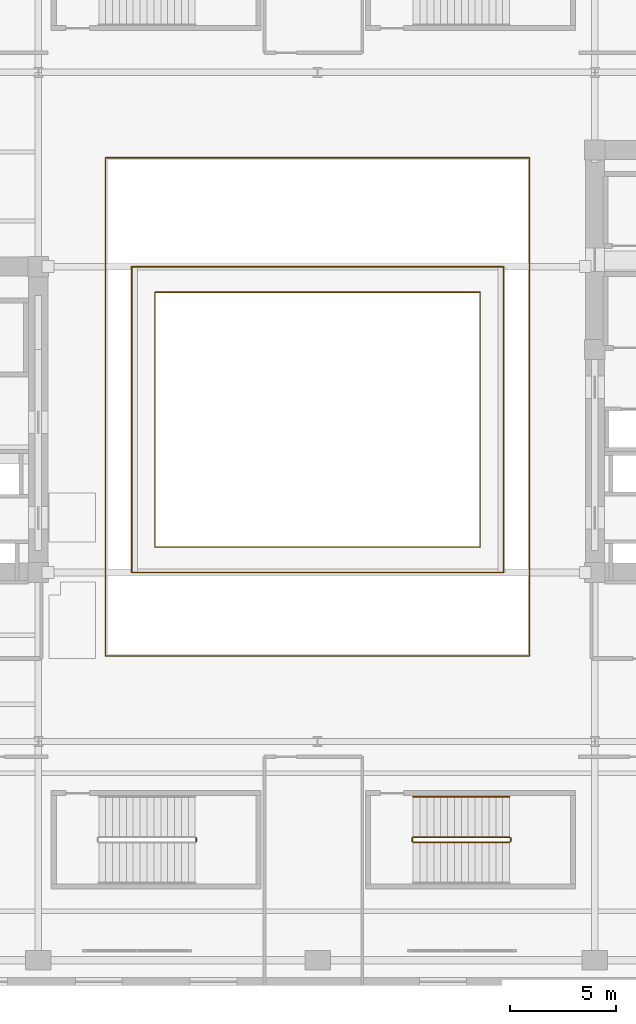
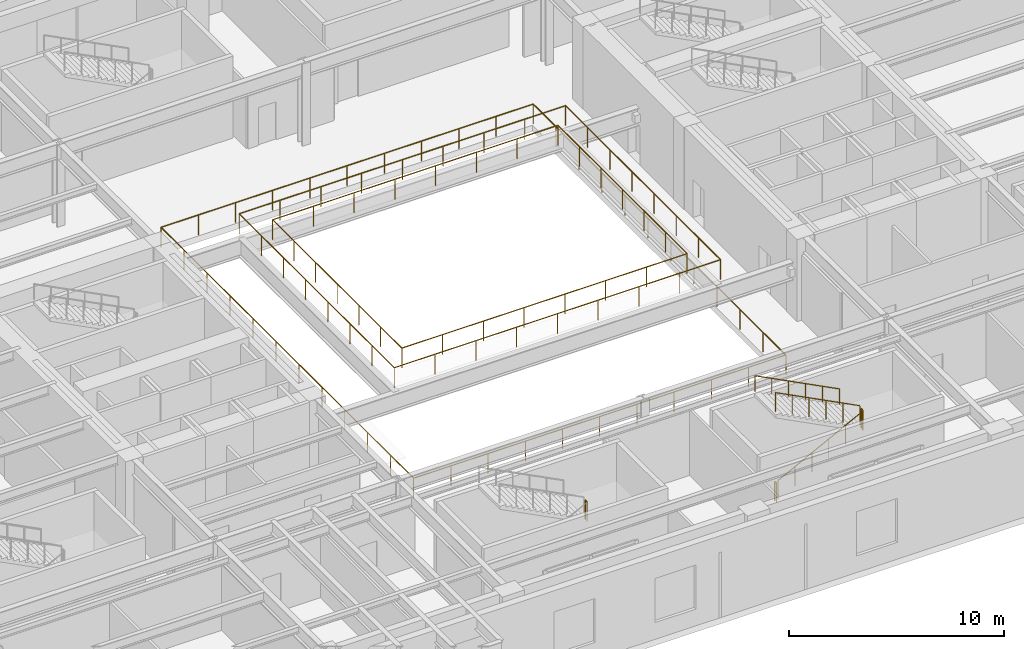
# One storey, part 17 of 24: 12 railings.
"""IFC4 building model written with IfcOpenShell, lengths in metres."""

from ifc_helpers import new_model, si_unit, direction, frame, origin, origin_2d, place, context, subcontext, project, spatial, circle, extrude, material, type_object, element, save


model = new_model("IFC4")

# Units and contexts
model_context = context("Model", 3, precision=1e-05, world=origin(), true_north=direction((0.0, 1.0)))
body_context = subcontext(model_context, "Body", "Model", "MODEL_VIEW")
ifc_project = project(units=[si_unit("LENGTHUNIT", "METRE"), si_unit("AREAUNIT", "SQUARE_METRE"), si_unit("VOLUMEUNIT", "CUBIC_METRE"), si_unit("PLANEANGLEUNIT", "RADIAN"), si_unit("MASSUNIT", "GRAM", prefix="KILO")], contexts=[model_context])

# Site, building, storey
site_placement = place(None, origin())
site = spatial("IfcSite", under=ifc_project, at=site_placement, CompositionType="ELEMENT")
building_placement = place(site_placement, origin())
building = spatial("IfcBuilding", under=site, at=building_placement, Name="Kolvaren Arena Tower", CompositionType="ELEMENT")
storey_placement = place(building_placement, frame((0.0, 0.0, 23.0)))
storey = spatial("IfcBuildingStorey", under=building, at=storey_placement, Name="L04", CompositionType="ELEMENT", Elevation=23.0)

# Railings
ifc_material_1 = material(Name="Heavy-duty crowd steel guardrail", Category="steel")
railing_type_1 = type_object("IfcRailingType", Name="GUARD-ARN-110", PredefinedType="GUARDRAIL", material=ifc_material_1)
railing_1_placement = place(storey_placement, frame((27.52001953125, 15.52001953125, 0.0)))
element("IfcRailing", 1, at=railing_1_placement, inside=storey, type_object=railing_type_1, Name="Arena Concourse Well Perimeter Guard (L04)", PredefinedType="GUARDRAIL", context=body_context, shape_type="SweptSolid", body=[
    extrude(circle(Radius=0.02734375, at=origin_2d()), frame((0.0, 0.0, 1.12255859375), z_axis=(1.0, 0.0, 0.0), x_axis=(0.0, 1.0, 0.0)), (0.0, 0.0, 1.0), 19.9599609375),
    extrude(circle(Radius=0.02734375, at=origin_2d()), frame((19.9599609375, 0.0, 1.12255859375), z_axis=(0.0, 1.0, 0.0), x_axis=(-1.0, 0.0, 0.0)), (0.0, 0.0, 1.0), 23.4599609375),
    extrude(circle(Radius=0.0224609375, at=origin_2d()), origin(), (0.0, 0.0, 1.0), 1.094970703125),
    extrude(circle(Radius=0.0224609375, at=origin_2d()), frame((1.99609375, 0.0, 0.0)), (0.0, 0.0, 1.0), 1.094970703125),
    extrude(circle(Radius=0.0224609375, at=origin_2d()), frame((3.991943359375, 0.0, 0.0)), (0.0, 0.0, 1.0), 1.094970703125),
    extrude(circle(Radius=0.0224609375, at=origin_2d()), frame((5.988037109375, 0.0, 0.0)), (0.0, 0.0, 1.0), 1.094970703125),
    extrude(circle(Radius=0.0224609375, at=origin_2d()), frame((7.98388671875, 0.0, 0.0)), (0.0, 0.0, 1.0), 1.094970703125),
    extrude(circle(Radius=0.0224609375, at=origin_2d()), frame((9.97998046875, 0.0, 0.0)), (0.0, 0.0, 1.0), 1.094970703125),
    extrude(circle(Radius=0.0224609375, at=origin_2d()), frame((11.97607421875, 0.0, 0.0)), (0.0, 0.0, 1.0), 1.094970703125),
    extrude(circle(Radius=0.0224609375, at=origin_2d()), frame((13.971923828125, 0.0, 0.0)), (0.0, 0.0, 1.0), 1.094970703125),
    extrude(circle(Radius=0.0224609375, at=origin_2d()), frame((15.968017578125, 0.0, 0.0)), (0.0, 0.0, 1.0), 1.094970703125),
    extrude(circle(Radius=0.0224609375, at=origin_2d()), frame((17.9638671875, 0.0, 0.0)), (0.0, 0.0, 1.0), 1.094970703125),
    extrude(circle(Radius=0.0224609375, at=origin_2d()), frame((19.9599609375, 0.0, 0.0)), (0.0, 0.0, 1.0), 1.094970703125),
    extrude(circle(Radius=0.0224609375, at=origin_2d()), frame((19.9599609375, 2.1328125, 0.0)), (0.0, 0.0, 1.0), 1.094970703125),
    extrude(circle(Radius=0.0224609375, at=origin_2d()), frame((19.9599609375, 4.265380859375, 0.0)), (0.0, 0.0, 1.0), 1.094970703125),
    extrude(circle(Radius=0.0224609375, at=origin_2d()), frame((19.9599609375, 6.398193359375, 0.0)), (0.0, 0.0, 1.0), 1.094970703125),
    extrude(circle(Radius=0.0224609375, at=origin_2d()), frame((19.9599609375, 8.531005859375, 0.0)), (0.0, 0.0, 1.0), 1.094970703125),
    extrude(circle(Radius=0.0224609375, at=origin_2d()), frame((19.9599609375, 10.66357421875, 0.0)), (0.0, 0.0, 1.0), 1.094970703125),
    extrude(circle(Radius=0.0224609375, at=origin_2d()), frame((19.9599609375, 12.79638671875, 0.0)), (0.0, 0.0, 1.0), 1.094970703125),
    extrude(circle(Radius=0.0224609375, at=origin_2d()), frame((19.9599609375, 14.928955078125, 0.0)), (0.0, 0.0, 1.0), 1.094970703125),
    extrude(circle(Radius=0.0224609375, at=origin_2d()), frame((19.9599609375, 17.061767578125, 0.0)), (0.0, 0.0, 1.0), 1.094970703125),
    extrude(circle(Radius=0.0224609375, at=origin_2d()), frame((19.9599609375, 19.194580078125, 0.0)), (0.0, 0.0, 1.0), 1.094970703125),
    extrude(circle(Radius=0.0224609375, at=origin_2d()), frame((19.9599609375, 21.3271484375, 0.0)), (0.0, 0.0, 1.0), 1.094970703125),
    extrude(circle(Radius=0.0224609375, at=origin_2d()), frame((19.9599609375, 23.4599609375, 0.0)), (0.0, 0.0, 1.0), 1.094970703125),
])
railing_2_placement = place(storey_placement, frame((47.47998046875, 38.97998046875, 0.0)))
element("IfcRailing", 2, at=railing_2_placement, inside=storey, type_object=railing_type_1, Name="Arena Concourse Well Perimeter Guard (L04)", PredefinedType="GUARDRAIL", context=body_context, shape_type="SweptSolid", body=[
    extrude(circle(Radius=0.02734375, at=origin_2d()), frame((0.0, 0.0, 1.12255859375), z_axis=(-1.0, 0.0, 0.0), x_axis=(0.0, -1.0, 0.0)), (0.0, 0.0, 1.0), 19.9599609375),
    extrude(circle(Radius=0.02734375, at=origin_2d()), frame((-19.9599609375, 0.0, 1.12255859375), z_axis=(0.0, -1.0, 0.0), x_axis=(1.0, 0.0, 0.0)), (0.0, 0.0, 1.0), 23.4599609375),
    extrude(circle(Radius=0.0224609375, at=origin_2d()), origin(), (0.0, 0.0, 1.0), 1.094970703125),
    extrude(circle(Radius=0.0224609375, at=origin_2d()), frame((-1.99609375, 0.0, 0.0)), (0.0, 0.0, 1.0), 1.094970703125),
    extrude(circle(Radius=0.0224609375, at=origin_2d()), frame((-3.991943359375, 0.0, 0.0)), (0.0, 0.0, 1.0), 1.094970703125),
    extrude(circle(Radius=0.0224609375, at=origin_2d()), frame((-5.988037109375, 0.0, 0.0)), (0.0, 0.0, 1.0), 1.094970703125),
    extrude(circle(Radius=0.0224609375, at=origin_2d()), frame((-7.98388671875, 0.0, 0.0)), (0.0, 0.0, 1.0), 1.094970703125),
    extrude(circle(Radius=0.0224609375, at=origin_2d()), frame((-9.97998046875, 0.0, 0.0)), (0.0, 0.0, 1.0), 1.094970703125),
    extrude(circle(Radius=0.0224609375, at=origin_2d()), frame((-11.97607421875, 0.0, 0.0)), (0.0, 0.0, 1.0), 1.094970703125),
    extrude(circle(Radius=0.0224609375, at=origin_2d()), frame((-13.971923828125, 0.0, 0.0)), (0.0, 0.0, 1.0), 1.094970703125),
    extrude(circle(Radius=0.0224609375, at=origin_2d()), frame((-15.968017578125, 0.0, 0.0)), (0.0, 0.0, 1.0), 1.094970703125),
    extrude(circle(Radius=0.0224609375, at=origin_2d()), frame((-17.9638671875, 0.0, 0.0)), (0.0, 0.0, 1.0), 1.094970703125),
    extrude(circle(Radius=0.0224609375, at=origin_2d()), frame((-19.9599609375, 0.0, 0.0)), (0.0, 0.0, 1.0), 1.094970703125),
    extrude(circle(Radius=0.0224609375, at=origin_2d()), frame((-19.9599609375, -2.1328125, 0.0)), (0.0, 0.0, 1.0), 1.094970703125),
    extrude(circle(Radius=0.0224609375, at=origin_2d()), frame((-19.9599609375, -4.265380859375, 0.0)), (0.0, 0.0, 1.0), 1.094970703125),
    extrude(circle(Radius=0.0224609375, at=origin_2d()), frame((-19.9599609375, -6.398193359375, 0.0)), (0.0, 0.0, 1.0), 1.094970703125),
    extrude(circle(Radius=0.0224609375, at=origin_2d()), frame((-19.9599609375, -8.531005859375, 0.0)), (0.0, 0.0, 1.0), 1.094970703125),
    extrude(circle(Radius=0.0224609375, at=origin_2d()), frame((-19.9599609375, -10.66357421875, 0.0)), (0.0, 0.0, 1.0), 1.094970703125),
    extrude(circle(Radius=0.0224609375, at=origin_2d()), frame((-19.9599609375, -12.79638671875, 0.0)), (0.0, 0.0, 1.0), 1.094970703125),
    extrude(circle(Radius=0.0224609375, at=origin_2d()), frame((-19.9599609375, -14.928955078125, 0.0)), (0.0, 0.0, 1.0), 1.094970703125),
    extrude(circle(Radius=0.0224609375, at=origin_2d()), frame((-19.9599609375, -17.061767578125, 0.0)), (0.0, 0.0, 1.0), 1.094970703125),
    extrude(circle(Radius=0.0224609375, at=origin_2d()), frame((-19.9599609375, -19.194580078125, 0.0)), (0.0, 0.0, 1.0), 1.094970703125),
    extrude(circle(Radius=0.0224609375, at=origin_2d()), frame((-19.9599609375, -21.3271484375, 0.0)), (0.0, 0.0, 1.0), 1.094970703125),
    extrude(circle(Radius=0.0224609375, at=origin_2d()), frame((-19.9599609375, -23.4599609375, 0.0)), (0.0, 0.0, 1.0), 1.094970703125),
])
railing_3_placement = place(storey_placement, frame((29.85009765625, 20.64990234375, 3.449951171875)))
element("IfcRailing", 3, at=railing_3_placement, inside=storey, type_object=railing_type_1, Name="Arena Bowl In Guard (L04)", PredefinedType="GUARDRAIL", context=body_context, shape_type="SweptSolid", body=[
    extrude(circle(Radius=0.02734375, at=origin_2d()), frame((0.0, 0.0, 1.12255859375), z_axis=(1.0, 0.0, 0.0), x_axis=(0.0, 1.0, 0.0)), (0.0, 0.0, 1.0), 15.2998046875),
    extrude(circle(Radius=0.02734375, at=origin_2d()), frame((15.2998046875, 0.0, 1.12255859375), z_axis=(0.0, 1.0, 0.0), x_axis=(-1.0, 0.0, 0.0)), (0.0, 0.0, 1.0), 12.0),
    extrude(circle(Radius=0.0224609375, at=origin_2d()), origin(), (0.0, 0.0, 1.0), 1.094970703125),
    extrude(circle(Radius=0.0224609375, at=origin_2d()), frame((2.185791015625, 0.0, 0.0)), (0.0, 0.0, 1.0), 1.094970703125),
    extrude(circle(Radius=0.0224609375, at=origin_2d()), frame((4.371337890625, 0.0, 0.0)), (0.0, 0.0, 1.0), 1.094970703125),
    extrude(circle(Radius=0.0224609375, at=origin_2d()), frame((6.55712890625, 0.0, 0.0)), (0.0, 0.0, 1.0), 1.094970703125),
    extrude(circle(Radius=0.0224609375, at=origin_2d()), frame((8.74267578125, 0.0, 0.0)), (0.0, 0.0, 1.0), 1.094970703125),
    extrude(circle(Radius=0.0224609375, at=origin_2d()), frame((10.928466796875, 0.0, 0.0)), (0.0, 0.0, 1.0), 1.094970703125),
    extrude(circle(Radius=0.0224609375, at=origin_2d()), frame((13.114013671875, 0.0, 0.0)), (0.0, 0.0, 1.0), 1.094970703125),
    extrude(circle(Radius=0.0224609375, at=origin_2d()), frame((15.2998046875, 0.0, 0.0)), (0.0, 0.0, 1.0), 1.094970703125),
    extrude(circle(Radius=0.0224609375, at=origin_2d()), frame((15.2998046875, 2.0, 0.0)), (0.0, 0.0, 1.0), 1.094970703125),
    extrude(circle(Radius=0.0224609375, at=origin_2d()), frame((15.2998046875, 4.0, 0.0)), (0.0, 0.0, 1.0), 1.094970703125),
    extrude(circle(Radius=0.0224609375, at=origin_2d()), frame((15.2998046875, 6.0, 0.0)), (0.0, 0.0, 1.0), 1.094970703125),
    extrude(circle(Radius=0.0224609375, at=origin_2d()), frame((15.2998046875, 8.0, 0.0)), (0.0, 0.0, 1.0), 1.094970703125),
    extrude(circle(Radius=0.0224609375, at=origin_2d()), frame((15.2998046875, 10.0, 0.0)), (0.0, 0.0, 1.0), 1.094970703125),
    extrude(circle(Radius=0.0224609375, at=origin_2d()), frame((15.2998046875, 12.0, 0.0)), (0.0, 0.0, 1.0), 1.094970703125),
])
railing_4_placement = place(storey_placement, frame((45.14990234375, 32.64990234375, 3.449951171875)))
element("IfcRailing", 4, at=railing_4_placement, inside=storey, type_object=railing_type_1, Name="Arena Bowl In Guard (L04)", PredefinedType="GUARDRAIL", context=body_context, shape_type="SweptSolid", body=[
    extrude(circle(Radius=0.02734375, at=origin_2d()), frame((0.0, 0.0, 1.12255859375), z_axis=(-1.0, 0.0, 0.0), x_axis=(0.0, -1.0, 0.0)), (0.0, 0.0, 1.0), 15.2998046875),
    extrude(circle(Radius=0.02734375, at=origin_2d()), frame((-15.2998046875, 0.0, 1.12255859375), z_axis=(0.0, -1.0, 0.0), x_axis=(1.0, 0.0, 0.0)), (0.0, 0.0, 1.0), 12.0),
    extrude(circle(Radius=0.0224609375, at=origin_2d()), origin(), (0.0, 0.0, 1.0), 1.094970703125),
    extrude(circle(Radius=0.0224609375, at=origin_2d()), frame((-2.185791015625, 0.0, 0.0)), (0.0, 0.0, 1.0), 1.094970703125),
    extrude(circle(Radius=0.0224609375, at=origin_2d()), frame((-4.371337890625, 0.0, 0.0)), (0.0, 0.0, 1.0), 1.094970703125),
    extrude(circle(Radius=0.0224609375, at=origin_2d()), frame((-6.55712890625, 0.0, 0.0)), (0.0, 0.0, 1.0), 1.094970703125),
    extrude(circle(Radius=0.0224609375, at=origin_2d()), frame((-8.74267578125, 0.0, 0.0)), (0.0, 0.0, 1.0), 1.094970703125),
    extrude(circle(Radius=0.0224609375, at=origin_2d()), frame((-10.928466796875, 0.0, 0.0)), (0.0, 0.0, 1.0), 1.094970703125),
    extrude(circle(Radius=0.0224609375, at=origin_2d()), frame((-13.114013671875, 0.0, 0.0)), (0.0, 0.0, 1.0), 1.094970703125),
    extrude(circle(Radius=0.0224609375, at=origin_2d()), frame((-15.2998046875, 0.0, 0.0)), (0.0, 0.0, 1.0), 1.094970703125),
    extrude(circle(Radius=0.0224609375, at=origin_2d()), frame((-15.2998046875, -2.0, 0.0)), (0.0, 0.0, 1.0), 1.094970703125),
    extrude(circle(Radius=0.0224609375, at=origin_2d()), frame((-15.2998046875, -4.0, 0.0)), (0.0, 0.0, 1.0), 1.094970703125),
    extrude(circle(Radius=0.0224609375, at=origin_2d()), frame((-15.2998046875, -6.0, 0.0)), (0.0, 0.0, 1.0), 1.094970703125),
    extrude(circle(Radius=0.0224609375, at=origin_2d()), frame((-15.2998046875, -8.0, 0.0)), (0.0, 0.0, 1.0), 1.094970703125),
    extrude(circle(Radius=0.0224609375, at=origin_2d()), frame((-15.2998046875, -10.0, 0.0)), (0.0, 0.0, 1.0), 1.094970703125),
    extrude(circle(Radius=0.0224609375, at=origin_2d()), frame((-15.2998046875, -12.0, 0.0)), (0.0, 0.0, 1.0), 1.094970703125),
])
railing_5_placement = place(storey_placement, frame((28.75, 19.449951171875, 3.449951171875)))
element("IfcRailing", 5, at=railing_5_placement, inside=storey, type_object=railing_type_1, Name="Arena Bowl Out Guard (L04)", PredefinedType="GUARDRAIL", context=body_context, shape_type="SweptSolid", body=[
    extrude(circle(Radius=0.02734375, at=origin_2d()), frame((0.0, 0.0, 1.12255859375), z_axis=(1.0, 0.0, 0.0), x_axis=(0.0, 1.0, 0.0)), (0.0, 0.0, 1.0), 17.5),
    extrude(circle(Radius=0.02734375, at=origin_2d()), frame((17.5, 0.0, 1.12255859375), z_axis=(0.0, 1.0, 0.0), x_axis=(-1.0, 0.0, 0.0)), (0.0, 0.0, 1.0), 14.400146484375),
    extrude(circle(Radius=0.0224609375, at=origin_2d()), origin(), (0.0, 0.0, 1.0), 1.094970703125),
    extrude(circle(Radius=0.0224609375, at=origin_2d()), frame((2.1875, 0.0, 0.0)), (0.0, 0.0, 1.0), 1.094970703125),
    extrude(circle(Radius=0.0224609375, at=origin_2d()), frame((4.375, 0.0, 0.0)), (0.0, 0.0, 1.0), 1.094970703125),
    extrude(circle(Radius=0.0224609375, at=origin_2d()), frame((6.5625, 0.0, 0.0)), (0.0, 0.0, 1.0), 1.094970703125),
    extrude(circle(Radius=0.0224609375, at=origin_2d()), frame((8.75, 0.0, 0.0)), (0.0, 0.0, 1.0), 1.094970703125),
    extrude(circle(Radius=0.0224609375, at=origin_2d()), frame((10.9375, 0.0, 0.0)), (0.0, 0.0, 1.0), 1.094970703125),
    extrude(circle(Radius=0.0224609375, at=origin_2d()), frame((13.125, 0.0, 0.0)), (0.0, 0.0, 1.0), 1.094970703125),
    extrude(circle(Radius=0.0224609375, at=origin_2d()), frame((15.3125, 0.0, 0.0)), (0.0, 0.0, 1.0), 1.094970703125),
    extrude(circle(Radius=0.0224609375, at=origin_2d()), frame((17.5, 0.0, 0.0)), (0.0, 0.0, 1.0), 1.094970703125),
    extrude(circle(Radius=0.0224609375, at=origin_2d()), frame((17.5, 2.05712890625, 0.0)), (0.0, 0.0, 1.0), 1.094970703125),
    extrude(circle(Radius=0.0224609375, at=origin_2d()), frame((17.5, 4.1142578125, 0.0)), (0.0, 0.0, 1.0), 1.094970703125),
    extrude(circle(Radius=0.0224609375, at=origin_2d()), frame((17.5, 6.17138671875, 0.0)), (0.0, 0.0, 1.0), 1.094970703125),
    extrude(circle(Radius=0.0224609375, at=origin_2d()), frame((17.5, 8.228759765625, 0.0)), (0.0, 0.0, 1.0), 1.094970703125),
    extrude(circle(Radius=0.0224609375, at=origin_2d()), frame((17.5, 10.285888671875, 0.0)), (0.0, 0.0, 1.0), 1.094970703125),
    extrude(circle(Radius=0.0224609375, at=origin_2d()), frame((17.5, 12.343017578125, 0.0)), (0.0, 0.0, 1.0), 1.094970703125),
    extrude(circle(Radius=0.0224609375, at=origin_2d()), frame((17.5, 14.400146484375, 0.0)), (0.0, 0.0, 1.0), 1.094970703125),
])
railing_6_placement = place(storey_placement, frame((46.25, 33.85009765625, 3.449951171875)))
element("IfcRailing", 6, at=railing_6_placement, inside=storey, type_object=railing_type_1, Name="Arena Bowl Out Guard (L04)", PredefinedType="GUARDRAIL", context=body_context, shape_type="SweptSolid", body=[
    extrude(circle(Radius=0.02734375, at=origin_2d()), frame((0.0, 0.0, 1.12255859375), z_axis=(-1.0, 0.0, 0.0), x_axis=(0.0, -1.0, 0.0)), (0.0, 0.0, 1.0), 17.5),
    extrude(circle(Radius=0.02734375, at=origin_2d()), frame((-17.5, 0.0, 1.12255859375), z_axis=(0.0, -1.0, 0.0), x_axis=(1.0, 0.0, 0.0)), (0.0, 0.0, 1.0), 14.400146484375),
    extrude(circle(Radius=0.0224609375, at=origin_2d()), origin(), (0.0, 0.0, 1.0), 1.094970703125),
    extrude(circle(Radius=0.0224609375, at=origin_2d()), frame((-2.1875, 0.0, 0.0)), (0.0, 0.0, 1.0), 1.094970703125),
    extrude(circle(Radius=0.0224609375, at=origin_2d()), frame((-4.375, 0.0, 0.0)), (0.0, 0.0, 1.0), 1.094970703125),
    extrude(circle(Radius=0.0224609375, at=origin_2d()), frame((-6.5625, 0.0, 0.0)), (0.0, 0.0, 1.0), 1.094970703125),
    extrude(circle(Radius=0.0224609375, at=origin_2d()), frame((-8.75, 0.0, 0.0)), (0.0, 0.0, 1.0), 1.094970703125),
    extrude(circle(Radius=0.0224609375, at=origin_2d()), frame((-10.9375, 0.0, 0.0)), (0.0, 0.0, 1.0), 1.094970703125),
    extrude(circle(Radius=0.0224609375, at=origin_2d()), frame((-13.125, 0.0, 0.0)), (0.0, 0.0, 1.0), 1.094970703125),
    extrude(circle(Radius=0.0224609375, at=origin_2d()), frame((-15.3125, 0.0, 0.0)), (0.0, 0.0, 1.0), 1.094970703125),
    extrude(circle(Radius=0.0224609375, at=origin_2d()), frame((-17.5, 0.0, 0.0)), (0.0, 0.0, 1.0), 1.094970703125),
    extrude(circle(Radius=0.0224609375, at=origin_2d()), frame((-17.5, -2.05712890625, 0.0)), (0.0, 0.0, 1.0), 1.094970703125),
    extrude(circle(Radius=0.0224609375, at=origin_2d()), frame((-17.5, -4.1142578125, 0.0)), (0.0, 0.0, 1.0), 1.094970703125),
    extrude(circle(Radius=0.0224609375, at=origin_2d()), frame((-17.5, -6.17138671875, 0.0)), (0.0, 0.0, 1.0), 1.094970703125),
    extrude(circle(Radius=0.0224609375, at=origin_2d()), frame((-17.5, -8.228759765625, 0.0)), (0.0, 0.0, 1.0), 1.094970703125),
    extrude(circle(Radius=0.0224609375, at=origin_2d()), frame((-17.5, -10.285888671875, 0.0)), (0.0, 0.0, 1.0), 1.094970703125),
    extrude(circle(Radius=0.0224609375, at=origin_2d()), frame((-17.5, -12.343017578125, 0.0)), (0.0, 0.0, 1.0), 1.094970703125),
    extrude(circle(Radius=0.0224609375, at=origin_2d()), frame((-17.5, -14.400146484375, 0.0)), (0.0, 0.0, 1.0), 1.094970703125),
])
ifc_material_2 = material(Name="Painted galvanized steel", Category="steel")
railing_type_2 = type_object("IfcRailingType", Name="GUARD-ST-110", PredefinedType="GUARDRAIL", material=ifc_material_2)
railing_7_placement = place(storey_placement, frame((31.785888671875, 6.800048828125, 2.5)))
element("IfcRailing", 7, at=railing_7_placement, inside=storey, type_object=railing_type_2, Name="L04 ST-A2 stair guard 2", PredefinedType="GUARDRAIL", context=body_context, shape_type="SweptSolid", body=[
    extrude(circle(Radius=0.02392578125, at=origin_2d()), frame((0.0, 0.0, 1.076171875), z_axis=(0.0, 1.0, 0.0), x_axis=(-1.0, 0.0, 0.0)), (0.0, 0.0, 1.0), 0.14990234375),
    extrude(circle(Radius=0.02099609375, at=origin_2d()), origin(), (0.0, 0.0, 1.0), 1.052001953125),
    extrude(circle(Radius=0.02099609375, at=origin_2d()), frame((0.0, 0.14990234375, 0.0)), (0.0, 0.0, 1.0), 1.052001953125),
])
railing_8_placement = place(storey_placement, frame((42.0, 6.75, 0.166748046875)))
element("IfcRailing", 8, at=railing_8_placement, inside=storey, type_object=railing_type_2, Name="L04 ST-A3 stair guard 1", PredefinedType="GUARDRAIL", context=body_context, shape_type="SweptSolid", body=[
    extrude(circle(Radius=0.02392578125, at=origin_2d()), frame((0.0, 0.0, 1.076171875), z_axis=(0.889247197123, 0.0, 0.45742695855), x_axis=(0.0, 1.0, 0.0)), (0.0, 0.0, 1.0), 5.100830078125),
    extrude(circle(Radius=0.02099609375, at=origin_2d()), origin(), (0.0, 0.0, 1.0), 1.052001953125),
    extrude(circle(Radius=0.02099609375, at=origin_2d()), frame((0.9072265625, 0.0, 0.466552734375)), (0.0, 0.0, 1.0), 1.052001953125),
    extrude(circle(Radius=0.02099609375, at=origin_2d()), frame((1.814453125, 0.0, 0.933349609375)), (0.0, 0.0, 1.0), 1.052001953125),
    extrude(circle(Radius=0.02099609375, at=origin_2d()), frame((2.721435546875, 0.0, 1.39990234375)), (0.0, 0.0, 1.0), 1.052001953125),
    extrude(circle(Radius=0.02099609375, at=origin_2d()), frame((3.628662109375, 0.0, 1.86669921875)), (0.0, 0.0, 1.0), 1.052001953125),
    extrude(circle(Radius=0.02099609375, at=origin_2d()), frame((4.535888671875, 0.0, 2.333251953125)), (0.0, 0.0, 1.0), 1.052001953125),
])
railing_9_placement = place(storey_placement, frame((46.5859375, 6.800048828125, 2.5)))
element("IfcRailing", 9, at=railing_9_placement, inside=storey, type_object=railing_type_2, Name="L04 ST-A3 stair guard 2", PredefinedType="GUARDRAIL", context=body_context, shape_type="SweptSolid", body=[
    extrude(circle(Radius=0.02392578125, at=origin_2d()), frame((0.0, 0.0, 1.076171875), z_axis=(0.0, 1.0, 0.0), x_axis=(-1.0, 0.0, 0.0)), (0.0, 0.0, 1.0), 0.14990234375),
    extrude(circle(Radius=0.02099609375, at=origin_2d()), origin(), (0.0, 0.0, 1.0), 1.052001953125),
    extrude(circle(Radius=0.02099609375, at=origin_2d()), frame((0.0, 0.14990234375, 0.0)), (0.0, 0.0, 1.0), 1.052001953125),
])
railing_10_placement = place(storey_placement, frame((46.535888671875, 7.0, 2.666748046875)))
element("IfcRailing", 10, at=railing_10_placement, inside=storey, type_object=railing_type_2, Name="L04 ST-A3 stair guard 3", PredefinedType="GUARDRAIL", context=body_context, shape_type="SweptSolid", body=[
    extrude(circle(Radius=0.02392578125, at=origin_2d()), frame((0.0, 0.0, 1.076171875), z_axis=(-0.889247197123, 0.0, 0.45742695855), x_axis=(0.0, -1.0, 0.0)), (0.0, 0.0, 1.0), 5.100830078125),
    extrude(circle(Radius=0.02099609375, at=origin_2d()), origin(), (0.0, 0.0, 1.0), 1.052001953125),
    extrude(circle(Radius=0.02099609375, at=origin_2d()), frame((-0.9072265625, 0.0, 0.466552734375)), (0.0, 0.0, 1.0), 1.052001953125),
    extrude(circle(Radius=0.02099609375, at=origin_2d()), frame((-1.814453125, 0.0, 0.933349609375)), (0.0, 0.0, 1.0), 1.052001953125),
    extrude(circle(Radius=0.02099609375, at=origin_2d()), frame((-2.721435546875, 0.0, 1.39990234375)), (0.0, 0.0, 1.0), 1.052001953125),
    extrude(circle(Radius=0.02099609375, at=origin_2d()), frame((-3.628662109375, 0.0, 1.86669921875)), (0.0, 0.0, 1.0), 1.052001953125),
    extrude(circle(Radius=0.02099609375, at=origin_2d()), frame((-4.535888671875, 0.0, 2.333251953125)), (0.0, 0.0, 1.0), 1.052001953125),
])
railing_11_placement = place(storey_placement, frame((41.949951171875, 6.800048828125, 0.0)))
element("IfcRailing", 11, at=railing_11_placement, inside=storey, type_object=railing_type_2, Name="L04 ST-A3 stair guard 4", PredefinedType="GUARDRAIL", context=body_context, shape_type="SweptSolid", body=[
    extrude(circle(Radius=0.02392578125, at=origin_2d()), frame((0.0, 0.0, 1.076171875), z_axis=(0.0, 1.0, 0.0), x_axis=(-1.0, 0.0, 0.0)), (0.0, 0.0, 1.0), 0.14990234375),
    extrude(circle(Radius=0.02099609375, at=origin_2d()), origin(), (0.0, 0.0, 1.0), 1.052001953125),
    extrude(circle(Radius=0.02099609375, at=origin_2d()), frame((0.0, 0.14990234375, 0.0)), (0.0, 0.0, 1.0), 1.052001953125),
])
ifc_material_3 = material(Name="Brushed stainless steel handrail", Category="steel")
railing_type_3 = type_object("IfcRailingType", Name="HRAIL-900", PredefinedType="HANDRAIL", material=ifc_material_3)
railing_12_placement = place(storey_placement, frame((46.535888671875, 8.89990234375, 2.666748046875)))
element("IfcRailing", 12, at=railing_12_placement, inside=storey, type_object=railing_type_3, Name="L04 ST-A3 stair handrail 2", PredefinedType="HANDRAIL", context=body_context, shape_type="SweptSolid", body=[
    extrude(circle(Radius=0.02392578125, at=origin_2d()), frame((0.0, 0.0, 0.8759765625), z_axis=(-0.889247197123, 0.0, 0.45742695855), x_axis=(0.0, -1.0, 0.0)), (0.0, 0.0, 1.0), 5.100830078125),
    extrude(circle(Radius=0.02099609375, at=origin_2d()), origin(), (0.0, 0.0, 1.0), 0.851806640625),
    extrude(circle(Radius=0.02099609375, at=origin_2d()), frame((-0.9072265625, 0.0, 0.466552734375)), (0.0, 0.0, 1.0), 0.851806640625),
    extrude(circle(Radius=0.02099609375, at=origin_2d()), frame((-1.814453125, 0.0, 0.933349609375)), (0.0, 0.0, 1.0), 0.851806640625),
    extrude(circle(Radius=0.02099609375, at=origin_2d()), frame((-2.721435546875, 0.0, 1.39990234375)), (0.0, 0.0, 1.0), 0.851806640625),
    extrude(circle(Radius=0.02099609375, at=origin_2d()), frame((-3.628662109375, 0.0, 1.86669921875)), (0.0, 0.0, 1.0), 0.851806640625),
    extrude(circle(Radius=0.02099609375, at=origin_2d()), frame((-4.535888671875, 0.0, 2.333251953125)), (0.0, 0.0, 1.0), 0.851806640625),
])

save(model, "model.ifc")
